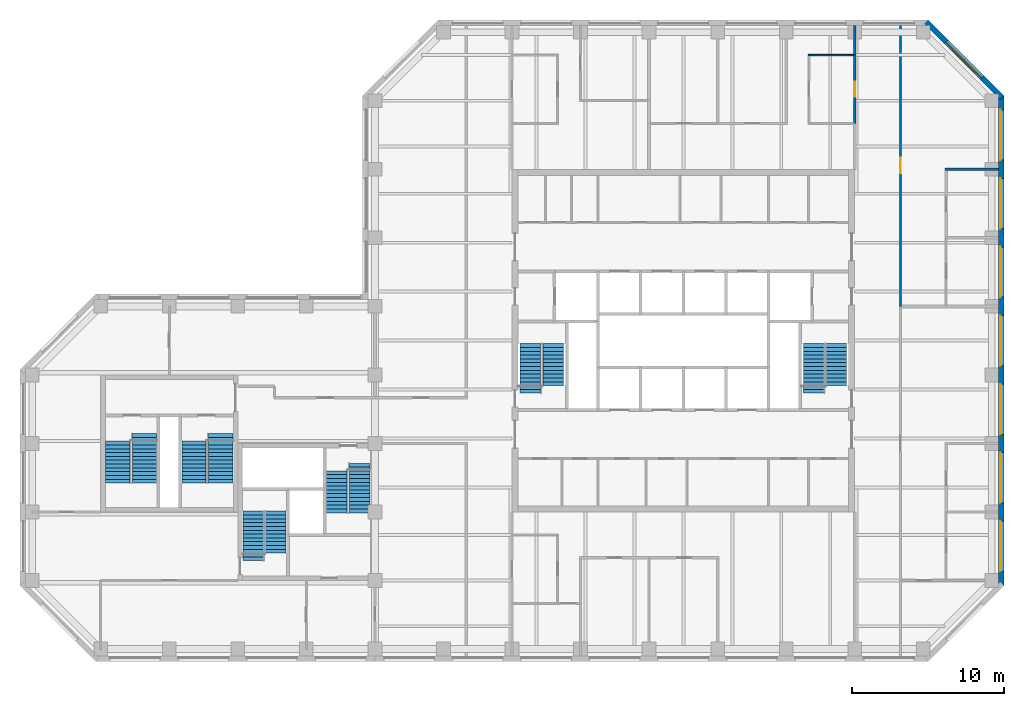
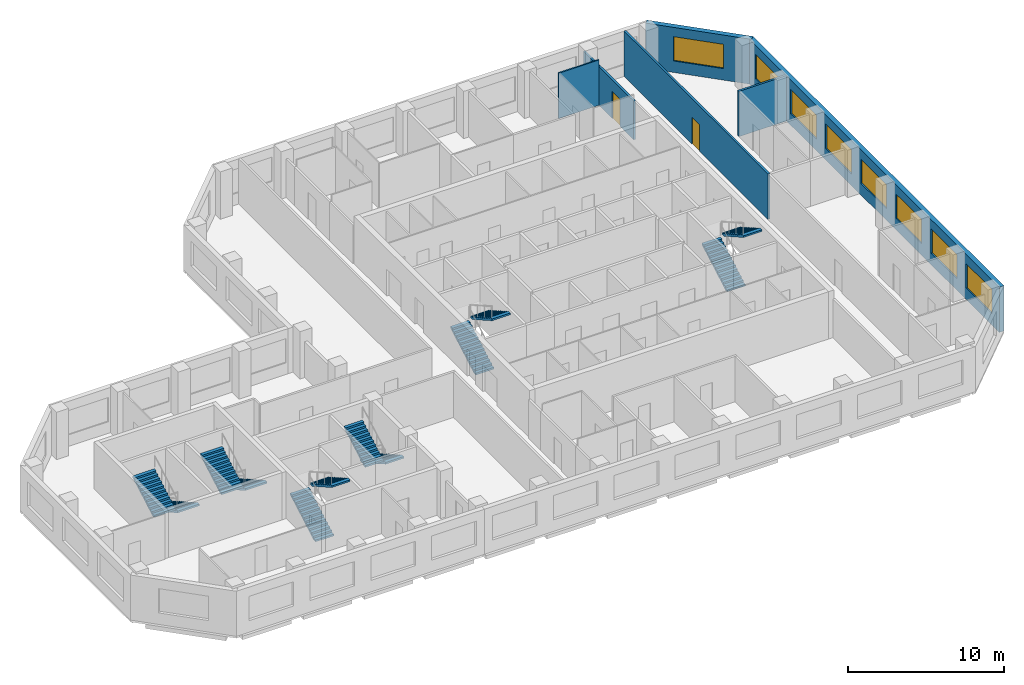
# One storey, part 8 of 9: 12 stair flights, 8 windows, 7 walls, 2 doors, 10 openings, 6 elements without a shape of their own.
"""IFC4 building model written with IfcOpenShell, lengths in metres."""

from ifc_helpers import new_model, si_unit, direction, frame, frame_2d, origin, place, context, subcontext, project, spatial, polyline, rectangle, outline, extrude, material, layer, layer_set, constituent, constituent_set, type_object, element, fill, aggregate, save


model = new_model("IFC4")

# Units and contexts
model_context = context("Model", 3, precision=1e-05, world=origin(), true_north=direction((0.0, 1.0)))
body_context = subcontext(model_context, "Body", "Model", "MODEL_VIEW")
ifc_project = project(units=[si_unit("LENGTHUNIT", "METRE"), si_unit("AREAUNIT", "SQUARE_METRE"), si_unit("VOLUMEUNIT", "CUBIC_METRE"), si_unit("PLANEANGLEUNIT", "RADIAN"), si_unit("MASSUNIT", "GRAM", prefix="KILO")], contexts=[model_context])

# Site, building, storey
site_placement = place(None, origin())
site = spatial("IfcSite", under=ifc_project, at=site_placement, CompositionType="ELEMENT")
building_placement = place(site_placement, origin())
building = spatial("IfcBuilding", under=site, at=building_placement, Name="Quoin Convention Tower", CompositionType="ELEMENT")
storey_placement = place(building_placement, frame((0.0, 0.0, 248.89990234375)))
storey = spatial("IfcBuildingStorey", under=building, at=storey_placement, Name="L65", CompositionType="ELEMENT", Elevation=248.89990234375)

# Wall
ifc_material_1 = material(Name="Plasterboard")
ifc_layer_1 = layer(ifc_material_1, 0.012451171875, Name="Finish")
ifc_material_2 = material(Name="Steel stud framing", Category="steel")
ifc_layer_2 = layer(ifc_material_2, 0.125, Name="Structure")
ifc_layer_3 = layer(ifc_material_1, 0.012451171875, Name="Finish")
ifc_layer_set_1 = layer_set([ifc_layer_1, ifc_layer_2, ifc_layer_3], Name="Steel stud framing")
wall_type_1 = type_object("IfcWallType", Name="Acoustic partition 150", PredefinedType="PARTITIONING", material=ifc_layer_set_1)
wall_1_placement = place(storey_placement, frame((73.425048828125, 72.0, 0.0), z_axis=(0.0, 0.0, 1.0), x_axis=(1.0, 0.0, 0.0)))
element("IfcWall", 1, at=wall_1_placement, inside=storey, type_object=wall_type_1, Name="pw-L65-024", PredefinedType="PARTITIONING", context=body_context, shape_type="SweptSolid", body=[
    extrude(rectangle(XDim=3.52490234375, YDim=0.14990234375, at=frame_2d((1.762451171875, 0.0))), origin(), (0.0, 0.0, 1.0), 3.550048828125),
])

# Wall, openings, windows
ifc_material_3 = material(Name="Brick masonry", Category="masonry")
ifc_layer_4 = layer(ifc_material_3, 0.35009765625)
ifc_layer_set_2 = layer_set([ifc_layer_4], Name="Brick masonry")
wall_type_2 = type_object("IfcWallType", Name="Brick facade wall", PredefinedType="STANDARD", material=ifc_layer_set_2)
wall_2_placement = place(storey_placement, frame((77.125, 44.668701171875, 0.0), z_axis=(0.0, 0.0, 1.0), x_axis=(0.0, 1.0, 0.0)))
wall_2 = element("IfcWall", 2, at=wall_2_placement, inside=storey, type_object=wall_type_2, Name="fw-L65-76500_45000", PredefinedType="STANDARD", context=body_context, shape_type="SweptSolid", body=[
    extrude(rectangle(XDim=32.16259765625, YDim=0.35009765625, at=frame_2d((16.081298828125, 0.0))), origin(), (0.0, 0.0, 1.0), 3.525146484375),
])
opening_1_placement = place(wall_2_placement, frame((0.931396484375, 0.0, 0.89990234375)))
opening_1 = element("IfcOpeningElement", 3, at=opening_1_placement, cuts=wall_2, Name="Opening W-02", PredefinedType="OPENING", context=body_context, shape_type="SweptSolid", body=[
    extrude(rectangle(XDim=3.300048828125, YDim=1.89990234375, at=frame_2d((1.64990234375, 0.949951171875))), frame((0.0, 0.18505859375, 0.0), z_axis=(0.0, -1.0, 0.0), x_axis=(1.0, 0.0, 0.0)), (0.0, 0.0, 1.0), 0.3701171875),
])
opening_2_placement = place(wall_2_placement, frame((5.431396484375, 0.0, 0.89990234375)))
opening_2 = element("IfcOpeningElement", 4, at=opening_2_placement, cuts=wall_2, Name="Opening W-02", PredefinedType="OPENING", context=body_context, shape_type="SweptSolid", body=[
    extrude(rectangle(XDim=3.300048828125, YDim=1.89990234375, at=frame_2d((1.64990234375, 0.949951171875))), frame((0.0, 0.18505859375, 0.0), z_axis=(0.0, -1.0, 0.0), x_axis=(1.0, 0.0, 0.0)), (0.0, 0.0, 1.0), 0.3701171875),
])
opening_3_placement = place(wall_2_placement, frame((9.931396484375, 0.0, 0.89990234375)))
opening_3 = element("IfcOpeningElement", 5, at=opening_3_placement, cuts=wall_2, Name="Opening W-02", PredefinedType="OPENING", context=body_context, shape_type="SweptSolid", body=[
    extrude(rectangle(XDim=3.300048828125, YDim=1.89990234375, at=frame_2d((1.64990234375, 0.949951171875))), frame((0.0, 0.18505859375, 0.0), z_axis=(0.0, -1.0, 0.0), x_axis=(1.0, 0.0, 0.0)), (0.0, 0.0, 1.0), 0.3701171875),
])
opening_4_placement = place(wall_2_placement, frame((14.431396484375, 0.0, 0.89990234375)))
opening_4 = element("IfcOpeningElement", 6, at=opening_4_placement, cuts=wall_2, Name="Opening W-02", PredefinedType="OPENING", context=body_context, shape_type="SweptSolid", body=[
    extrude(rectangle(XDim=3.300048828125, YDim=1.89990234375, at=frame_2d((1.64990234375, 0.949951171875))), frame((0.0, 0.18505859375, 0.0), z_axis=(0.0, -1.0, 0.0), x_axis=(1.0, 0.0, 0.0)), (0.0, 0.0, 1.0), 0.3701171875),
])
opening_5_placement = place(wall_2_placement, frame((18.931396484375, 0.0, 0.89990234375)))
opening_5 = element("IfcOpeningElement", 7, at=opening_5_placement, cuts=wall_2, Name="Opening W-02", PredefinedType="OPENING", context=body_context, shape_type="SweptSolid", body=[
    extrude(rectangle(XDim=3.300048828125, YDim=1.89990234375, at=frame_2d((1.64990234375, 0.949951171875))), frame((0.0, 0.18505859375, 0.0), z_axis=(0.0, -1.0, 0.0), x_axis=(1.0, 0.0, 0.0)), (0.0, 0.0, 1.0), 0.3701171875),
])
opening_6_placement = place(wall_2_placement, frame((23.431396484375, 0.0, 0.89990234375)))
opening_6 = element("IfcOpeningElement", 8, at=opening_6_placement, cuts=wall_2, Name="Opening W-02", PredefinedType="OPENING", context=body_context, shape_type="SweptSolid", body=[
    extrude(rectangle(XDim=3.300048828125, YDim=1.89990234375, at=frame_2d((1.64990234375, 0.949951171875))), frame((0.0, 0.18505859375, 0.0), z_axis=(0.0, -1.0, 0.0), x_axis=(1.0, 0.0, 0.0)), (0.0, 0.0, 1.0), 0.3701171875),
])
opening_7_placement = place(wall_2_placement, frame((27.931396484375, 0.0, 0.89990234375)))
opening_7 = element("IfcOpeningElement", 9, at=opening_7_placement, cuts=wall_2, Name="Opening W-02", PredefinedType="OPENING", context=body_context, shape_type="SweptSolid", body=[
    extrude(rectangle(XDim=3.300048828125, YDim=1.89990234375, at=frame_2d((1.64990234375, 0.949951171875))), frame((0.0, 0.18505859375, 0.0), z_axis=(0.0, -1.0, 0.0), x_axis=(1.0, 0.0, 0.0)), (0.0, 0.0, 1.0), 0.3701171875),
])
ifc_material_4 = material(Name="Aluminium", Category="aluminium")
ifc_constituent_1 = constituent(ifc_material_4, Name="Frame")
ifc_material_5 = material(Name="Insulated glass", Category="glass")
ifc_constituent_2 = constituent(ifc_material_5, Name="Glazing")
ifc_constituent_set = constituent_set(constituents=[ifc_constituent_1, ifc_constituent_2], Name="Aluminium")
window_type = type_object("IfcWindowType", Name="Office window", PartitioningType="DOUBLE_PANEL_VERTICAL", PredefinedType="WINDOW", material=ifc_constituent_set)
window_1_placement = place(opening_1_placement, origin())
window_1 = element("IfcWindow", 10, at=window_1_placement, inside=storey, type_object=window_type, Name="win-L65-77125_47250", OverallHeight=1.89990234375, OverallWidth=3.300048828125, PartitioningType="SINGLE_PANEL", PredefinedType="WINDOW", context=body_context, shape_type="SweptSolid", body=[
    extrude(rectangle(XDim=3.300048828125, YDim=1.89990234375, at=frame_2d((1.64990234375, 0.949951171875))), frame((0.0, 0.0849609375, 0.0), z_axis=(0.0, -1.0, 0.0), x_axis=(1.0, 0.0, 0.0)), (0.0, 0.0, 1.0), 0.06005859375),
])
fill(opening_1, window_1)
window_2_placement = place(opening_2_placement, origin())
window_2 = element("IfcWindow", 11, at=window_2_placement, inside=storey, type_object=window_type, Name="win-L65-77125_51750", OverallHeight=1.89990234375, OverallWidth=3.300048828125, PartitioningType="SINGLE_PANEL", PredefinedType="WINDOW", context=body_context, shape_type="SweptSolid", body=[
    extrude(rectangle(XDim=3.300048828125, YDim=1.89990234375, at=frame_2d((1.64990234375, 0.949951171875))), frame((0.0, 0.0849609375, 0.0), z_axis=(0.0, -1.0, 0.0), x_axis=(1.0, 0.0, 0.0)), (0.0, 0.0, 1.0), 0.06005859375),
])
fill(opening_2, window_2)
window_3_placement = place(opening_3_placement, origin())
window_3 = element("IfcWindow", 12, at=window_3_placement, inside=storey, type_object=window_type, Name="win-L65-77125_56250", OverallHeight=1.89990234375, OverallWidth=3.300048828125, PartitioningType="SINGLE_PANEL", PredefinedType="WINDOW", context=body_context, shape_type="SweptSolid", body=[
    extrude(rectangle(XDim=3.300048828125, YDim=1.89990234375, at=frame_2d((1.64990234375, 0.949951171875))), frame((0.0, 0.0849609375, 0.0), z_axis=(0.0, -1.0, 0.0), x_axis=(1.0, 0.0, 0.0)), (0.0, 0.0, 1.0), 0.06005859375),
])
fill(opening_3, window_3)
window_4_placement = place(opening_4_placement, origin())
window_4 = element("IfcWindow", 13, at=window_4_placement, inside=storey, type_object=window_type, Name="win-L65-77125_60750", OverallHeight=1.89990234375, OverallWidth=3.300048828125, PartitioningType="SINGLE_PANEL", PredefinedType="WINDOW", context=body_context, shape_type="SweptSolid", body=[
    extrude(rectangle(XDim=3.300048828125, YDim=1.89990234375, at=frame_2d((1.64990234375, 0.949951171875))), frame((0.0, 0.0849609375, 0.0), z_axis=(0.0, -1.0, 0.0), x_axis=(1.0, 0.0, 0.0)), (0.0, 0.0, 1.0), 0.06005859375),
])
fill(opening_4, window_4)
window_5_placement = place(opening_5_placement, origin())
window_5 = element("IfcWindow", 14, at=window_5_placement, inside=storey, type_object=window_type, Name="win-L65-77125_65250", OverallHeight=1.89990234375, OverallWidth=3.300048828125, PartitioningType="SINGLE_PANEL", PredefinedType="WINDOW", context=body_context, shape_type="SweptSolid", body=[
    extrude(rectangle(XDim=3.300048828125, YDim=1.89990234375, at=frame_2d((1.64990234375, 0.949951171875))), frame((0.0, 0.0849609375, 0.0), z_axis=(0.0, -1.0, 0.0), x_axis=(1.0, 0.0, 0.0)), (0.0, 0.0, 1.0), 0.06005859375),
])
fill(opening_5, window_5)
window_6_placement = place(opening_6_placement, origin())
window_6 = element("IfcWindow", 15, at=window_6_placement, inside=storey, type_object=window_type, Name="win-L65-77125_69750", OverallHeight=1.89990234375, OverallWidth=3.300048828125, PartitioningType="SINGLE_PANEL", PredefinedType="WINDOW", context=body_context, shape_type="SweptSolid", body=[
    extrude(rectangle(XDim=3.300048828125, YDim=1.89990234375, at=frame_2d((1.64990234375, 0.949951171875))), frame((0.0, 0.0849609375, 0.0), z_axis=(0.0, -1.0, 0.0), x_axis=(1.0, 0.0, 0.0)), (0.0, 0.0, 1.0), 0.06005859375),
])
fill(opening_6, window_6)
window_7_placement = place(opening_7_placement, origin())
window_7 = element("IfcWindow", 16, at=window_7_placement, inside=storey, type_object=window_type, Name="win-L65-77125_74250", OverallHeight=1.89990234375, OverallWidth=3.300048828125, PartitioningType="SINGLE_PANEL", PredefinedType="WINDOW", context=body_context, shape_type="SweptSolid", body=[
    extrude(rectangle(XDim=3.300048828125, YDim=1.89990234375, at=frame_2d((1.64990234375, 0.949951171875))), frame((0.0, 0.0849609375, 0.0), z_axis=(0.0, -1.0, 0.0), x_axis=(1.0, 0.0, 0.0)), (0.0, 0.0, 1.0), 0.06005859375),
])
fill(opening_7, window_7)

# Wall, opening, window
wall_3_placement = place(storey_placement, frame((77.17626953125, 76.70751953125, 0.0), z_axis=(0.0, 0.0, 1.0), x_axis=(-0.707106781187, 0.707106781187, 0.0)))
wall_3 = element("IfcWall", 17, at=wall_3_placement, inside=storey, type_object=wall_type_2, Name="fw-L65-76500_76500", PredefinedType="STANDARD", context=body_context, shape_type="SweptSolid", body=[
    extrude(rectangle(XDim=7.02685546875, YDim=0.35009765625, at=frame_2d((3.513427734375, 0.0))), origin(), (0.0, 0.0, 1.0), 3.525146484375),
])
opening_8_placement = place(wall_3_placement, frame((1.86328125, 0.0, 0.89990234375)))
opening_8 = element("IfcOpeningElement", 18, at=opening_8_placement, cuts=wall_3, Name="Opening W-02", PredefinedType="OPENING", context=body_context, shape_type="SweptSolid", body=[
    extrude(rectangle(XDim=3.300048828125, YDim=1.89990234375, at=frame_2d((1.64990234375, 0.949951171875))), frame((0.0, 0.18505859375, 0.0), z_axis=(0.0, -1.0, 0.0), x_axis=(1.0, 0.0, 0.0)), (0.0, 0.0, 1.0), 0.3701171875),
])
window_8_placement = place(opening_8_placement, origin())
window_8 = element("IfcWindow", 19, at=window_8_placement, inside=storey, type_object=window_type, Name="win-L65-74692_79192", OverallHeight=1.89990234375, OverallWidth=3.300048828125, PartitioningType="SINGLE_PANEL", PredefinedType="WINDOW", context=body_context, shape_type="SweptSolid", body=[
    extrude(rectangle(XDim=3.300048828125, YDim=1.89990234375, at=frame_2d((1.64990234375, 0.949951171875))), frame((0.0, 0.0849609375, 0.0), z_axis=(0.0, -1.0, 0.0), x_axis=(1.0, 0.0, 0.0)), (0.0, 0.0, 1.0), 0.06005859375),
])
fill(opening_8, window_8)

# Wall, opening, door
ifc_layer_5 = layer(ifc_material_1, 0.012451171875, Name="Finish")
ifc_layer_6 = layer(ifc_material_2, 0.125, Name="Structure")
ifc_layer_7 = layer(ifc_material_1, 0.012451171875, Name="Finish")
ifc_layer_set_3 = layer_set([ifc_layer_5, ifc_layer_6, ifc_layer_7], Name="Steel stud framing")
wall_type_3 = type_object("IfcWallType", Name="Corridor wall 150", PredefinedType="PARTITIONING", material=ifc_layer_set_3)
wall_4_placement = place(storey_placement, frame((70.5, 63.0, 0.0), z_axis=(0.0, 0.0, 1.0), x_axis=(0.0, 1.0, 0.0)))
wall_4 = element("IfcWall", 20, at=wall_4_placement, inside=storey, type_object=wall_type_3, Name="pw-L65-062", PredefinedType="PARTITIONING", context=body_context, shape_type="SweptSolid", body=[
    extrude(rectangle(XDim=18.449951171875, YDim=0.14990234375, at=frame_2d((9.22509765625, 0.0))), origin(), (0.0, 0.0, 1.0), 3.550048828125),
])
opening_9_placement = place(wall_4_placement, frame((8.75, 0.0, 0.0)))
opening_9 = element("IfcOpeningElement", 21, at=opening_9_placement, cuts=wall_4, Name="Opening DOH12-15", PredefinedType="OPENING", context=body_context, shape_type="SweptSolid", body=[
    extrude(rectangle(XDim=1.0, YDim=2.10009765625, at=frame_2d((0.5, 1.050048828125))), frame((0.0, 0.0849609375, 0.0), z_axis=(0.0, -1.0, 0.0), x_axis=(1.0, 0.0, 0.0)), (0.0, 0.0, 1.0), 0.169921875),
])
ifc_material_6 = material(Name="Steel door leaf", Category="steel")
door_type = type_object("IfcDoorType", Name="Tenancy entrance door 1000 x 2100", OperationType="DOUBLE_DOOR_SINGLE_SWING", PredefinedType="DOOR", material=ifc_material_6)
door_1_placement = place(opening_9_placement, frame((1.0, 0.0, 0.0), z_axis=(0.0, 0.0, 1.0), x_axis=(-1.0, 0.0, 0.0)))
door_1 = element("IfcDoor", 22, at=door_1_placement, inside=storey, type_object=door_type, Name="dr-L65-27", OperationType="DOUBLE_DOOR_SINGLE_SWING", OverallHeight=2.10009765625, OverallWidth=1.0, PredefinedType="DOOR", context=body_context, shape_type="SweptSolid", body=[
    extrude(rectangle(XDim=1.0, YDim=2.10009765625, at=frame_2d((0.5, 1.050048828125))), frame((0.0, 0.02490234375, 0.0), z_axis=(0.0, -1.0, 0.0), x_axis=(1.0, 0.0, 0.0)), (0.0, 0.0, 1.0), 0.050048828125),
])
fill(opening_9, door_1)

ifc_layer_8 = layer(ifc_material_1, 0.012451171875, Name="Finish")
ifc_layer_9 = layer(ifc_material_2, 0.125, Name="Structure")
ifc_layer_10 = layer(ifc_material_1, 0.012451171875, Name="Finish")
ifc_layer_set_4 = layer_set([ifc_layer_8, ifc_layer_9, ifc_layer_10], Name="Steel stud framing")
wall_type_4 = type_object("IfcWallType", Name="Corridor wall 150 under beam 528", PredefinedType="PARTITIONING", material=ifc_layer_set_4)
wall_5_placement = place(storey_placement, frame((67.5, 75.0, 0.0), z_axis=(0.0, 0.0, 1.0), x_axis=(0.0, 1.0, 0.0)))
wall_5 = element("IfcWall", 23, at=wall_5_placement, inside=storey, type_object=wall_type_4, Name="pw-L65-070", PredefinedType="PARTITIONING", context=body_context, shape_type="SweptSolid", body=[
    extrude(rectangle(XDim=4.5, YDim=0.14990234375, at=frame_2d((2.25, 0.0))), origin(), (0.0, 0.0, 1.0), 3.022216796875),
])
opening_10_placement = place(wall_5_placement, frame((1.75, 0.0, 0.0)))
opening_10 = element("IfcOpeningElement", 24, at=opening_10_placement, cuts=wall_5, Name="Opening DOH12-19", PredefinedType="OPENING", context=body_context, shape_type="SweptSolid", body=[
    extrude(rectangle(XDim=1.0, YDim=2.10009765625, at=frame_2d((0.5, 1.050048828125))), frame((0.0, 0.0849609375, 0.0), z_axis=(0.0, -1.0, 0.0), x_axis=(1.0, 0.0, 0.0)), (0.0, 0.0, 1.0), 0.169921875),
])
door_2_placement = place(opening_10_placement, frame((1.0, 0.0, 0.0), z_axis=(0.0, 0.0, 1.0), x_axis=(-1.0, 0.0, 0.0)))
door_2 = element("IfcDoor", 25, at=door_2_placement, inside=storey, type_object=door_type, Name="dr-L65-19", OperationType="DOUBLE_DOOR_SINGLE_SWING", OverallHeight=2.10009765625, OverallWidth=1.0, PredefinedType="DOOR", context=body_context, shape_type="SweptSolid", body=[
    extrude(rectangle(XDim=1.0, YDim=2.10009765625, at=frame_2d((0.5, 1.050048828125))), frame((0.0, 0.02490234375, 0.0), z_axis=(0.0, -1.0, 0.0), x_axis=(1.0, 0.0, 0.0)), (0.0, 0.0, 1.0), 0.050048828125),
])
fill(opening_10, door_2)

# Walls
wall_6_placement = place(storey_placement, frame((67.5, 79.5, 0.0), z_axis=(0.0, 0.0, 1.0), x_axis=(0.0, 1.0, 0.0)))
element("IfcWall", 26, at=wall_6_placement, inside=storey, type_object=wall_type_4, Name="pw-L65-078", PredefinedType="PARTITIONING", context=body_context, shape_type="SweptSolid", body=[
    extrude(rectangle(XDim=1.949951171875, YDim=0.14990234375, at=frame_2d((0.97509765625, 0.0))), origin(), (0.0, 0.0, 1.0), 3.022216796875),
])
ifc_layer_11 = layer(ifc_material_1, 0.012451171875, Name="Finish")
ifc_layer_12 = layer(ifc_material_2, 0.074951171875, Name="Structure")
ifc_layer_13 = layer(ifc_material_1, 0.012451171875, Name="Finish")
ifc_layer_set_5 = layer_set([ifc_layer_11, ifc_layer_12, ifc_layer_13], Name="Steel stud framing")
wall_type_5 = type_object("IfcWallType", Name="Stud partition 100", PredefinedType="PARTITIONING", material=ifc_layer_set_5)
wall_7_placement = place(storey_placement, frame((64.449951171875, 79.5, 0.0), z_axis=(0.0, 0.0, 1.0), x_axis=(1.0, 0.0, 0.0)))
element("IfcWall", 27, at=wall_7_placement, inside=storey, type_object=wall_type_5, Name="pw-L65-031", PredefinedType="PARTITIONING", context=body_context, shape_type="SweptSolid", body=[
    extrude(rectangle(XDim=2.97509765625, YDim=0.10009765625, at=frame_2d((1.487548828125, 0.0))), origin(), (0.0, 0.0, 1.0), 3.550048828125),
])

# Stair, stair flights
ifc_material_7 = material(Name="Concrete C40", Category="concrete")
stair_type_1 = type_object("IfcStairType", Name="Exit stair two-flight 1350", PredefinedType="HALF_TURN_STAIR", material=ifc_material_7)
stair_1_placement = place(storey_placement, origin())
stair_1 = element("IfcStair", 28, at=stair_1_placement, inside=storey, type_object=stair_type_1, Name="SD1 L65", PredefinedType="HALF_TURN_STAIR")
stair_flight_type_1 = type_object("IfcStairFlightType", Name="Stair flight 1350", PredefinedType="STRAIGHT", material=ifc_material_7)
stair_flight_1_placement = place(storey_placement, frame((46.199951171875, 57.300048828125, 0.0), z_axis=(0.0, 0.0, 1.0), x_axis=(0.0, 1.0, 0.0)))
stair_flight_1 = element("IfcStairFlight", 29, at=stair_flight_1_placement, type_object=stair_flight_type_1, Name="ST1 flight 1", NumberOfRisers=14, NumberOfTreads=13, PredefinedType="STRAIGHT", RiserHeight=0.142307692, TreadLength=0.25, context=body_context, shape_type="SweptSolid", body=[
    extrude(outline(polyline([(0.0, 0.0), (0.0, 0.142333984375), (0.25, 0.142333984375), (0.25, 0.28466796875), (0.5, 0.28466796875), (0.5, 0.427001953125), (0.75, 0.427001953125), (0.75, 0.5693359375), (1.0, 0.5693359375), (1.0, 0.71142578125), (1.25, 0.71142578125), (1.25, 0.853759765625), (1.5, 0.853759765625), (1.5, 0.99609375), (1.75, 0.99609375), (1.75, 1.138427734375), (2.0, 1.138427734375), (2.0, 1.28076171875), (2.25, 1.28076171875), (2.25, 1.423095703125), (2.5, 1.423095703125), (2.5, 1.5654296875), (2.75, 1.5654296875), (2.75, 1.707763671875), (3.0, 1.707763671875), (3.0, 1.85009765625), (3.25, 1.85009765625), (3.25, 1.9921875), (3.25, 1.711669921875), (0.242919921875, 0.0), (0.0, 0.0)])), frame((0.0, 0.675048828125, 0.0), z_axis=(0.0, -1.0, 0.0), x_axis=(1.0, 0.0, 0.0)), (0.0, 0.0, 1.0), 1.35009765625),
])
stair_flight_2_placement = place(storey_placement, frame((47.699951171875, 60.550048828125, 1.992431640625), z_axis=(0.0, 0.0, 1.0), x_axis=(0.0, -1.0, 0.0)))
stair_flight_2 = element("IfcStairFlight", 30, at=stair_flight_2_placement, type_object=stair_flight_type_1, Name="ST1 flight 2", NumberOfRisers=12, NumberOfTreads=11, PredefinedType="STRAIGHT", RiserHeight=0.142307692, TreadLength=0.25, context=body_context, shape_type="SweptSolid", body=[
    extrude(outline(polyline([(0.0, 0.0), (0.0, 0.142333984375), (0.25, 0.142333984375), (0.25, 0.28466796875), (0.5, 0.28466796875), (0.5, 0.427001953125), (0.75, 0.427001953125), (0.75, 0.5693359375), (1.0, 0.5693359375), (1.0, 0.71142578125), (1.25, 0.71142578125), (1.25, 0.853759765625), (1.5, 0.853759765625), (1.5, 0.99609375), (1.75, 0.99609375), (1.75, 1.138427734375), (2.0, 1.138427734375), (2.0, 1.28076171875), (2.25, 1.28076171875), (2.25, 1.423095703125), (2.5, 1.423095703125), (2.5, 1.5654296875), (2.75, 1.5654296875), (2.75, 1.707763671875), (2.75, 1.42724609375), (0.242919921875, 0.0), (0.0, 0.0)])), frame((0.0, 0.675048828125, 0.0), z_axis=(0.0, -1.0, 0.0), x_axis=(1.0, 0.0, 0.0)), (0.0, 0.0, 1.0), 1.35009765625),
])
aggregate(stair_1, [stair_flight_1, stair_flight_2])

stair_2_placement = place(storey_placement, origin())
stair_2 = element("IfcStair", 31, at=stair_2_placement, inside=storey, type_object=stair_type_1, Name="SD2 L65", PredefinedType="HALF_TURN_STAIR")
stair_flight_3_placement = place(storey_placement, frame((64.800048828125, 57.300048828125, 0.0), z_axis=(0.0, 0.0, 1.0), x_axis=(0.0, 1.0, 0.0)))
stair_flight_3 = element("IfcStairFlight", 32, at=stair_flight_3_placement, type_object=stair_flight_type_1, Name="ST2 flight 1", NumberOfRisers=14, NumberOfTreads=13, PredefinedType="STRAIGHT", RiserHeight=0.142307692, TreadLength=0.25, context=body_context, shape_type="SweptSolid", body=[
    extrude(outline(polyline([(0.0, 0.0), (0.0, 0.142333984375), (0.25, 0.142333984375), (0.25, 0.28466796875), (0.5, 0.28466796875), (0.5, 0.427001953125), (0.75, 0.427001953125), (0.75, 0.5693359375), (1.0, 0.5693359375), (1.0, 0.71142578125), (1.25, 0.71142578125), (1.25, 0.853759765625), (1.5, 0.853759765625), (1.5, 0.99609375), (1.75, 0.99609375), (1.75, 1.138427734375), (2.0, 1.138427734375), (2.0, 1.28076171875), (2.25, 1.28076171875), (2.25, 1.423095703125), (2.5, 1.423095703125), (2.5, 1.5654296875), (2.75, 1.5654296875), (2.75, 1.707763671875), (3.0, 1.707763671875), (3.0, 1.85009765625), (3.25, 1.85009765625), (3.25, 1.9921875), (3.25, 1.711669921875), (0.242919921875, 0.0), (0.0, 0.0)])), frame((0.0, 0.675048828125, 0.0), z_axis=(0.0, -1.0, 0.0), x_axis=(1.0, 0.0, 0.0)), (0.0, 0.0, 1.0), 1.35009765625),
])
stair_flight_4_placement = place(storey_placement, frame((66.300048828125, 60.550048828125, 1.992431640625), z_axis=(0.0, 0.0, 1.0), x_axis=(0.0, -1.0, 0.0)))
stair_flight_4 = element("IfcStairFlight", 33, at=stair_flight_4_placement, type_object=stair_flight_type_1, Name="ST2 flight 2", NumberOfRisers=12, NumberOfTreads=11, PredefinedType="STRAIGHT", RiserHeight=0.142307692, TreadLength=0.25, context=body_context, shape_type="SweptSolid", body=[
    extrude(outline(polyline([(0.0, 0.0), (0.0, 0.142333984375), (0.25, 0.142333984375), (0.25, 0.28466796875), (0.5, 0.28466796875), (0.5, 0.427001953125), (0.75, 0.427001953125), (0.75, 0.5693359375), (1.0, 0.5693359375), (1.0, 0.71142578125), (1.25, 0.71142578125), (1.25, 0.853759765625), (1.5, 0.853759765625), (1.5, 0.99609375), (1.75, 0.99609375), (1.75, 1.138427734375), (2.0, 1.138427734375), (2.0, 1.28076171875), (2.25, 1.28076171875), (2.25, 1.423095703125), (2.5, 1.423095703125), (2.5, 1.5654296875), (2.75, 1.5654296875), (2.75, 1.707763671875), (2.75, 1.42724609375), (0.242919921875, 0.0), (0.0, 0.0)])), frame((0.0, 0.675048828125, 0.0), z_axis=(0.0, -1.0, 0.0), x_axis=(1.0, 0.0, 0.0)), (0.0, 0.0, 1.0), 1.35009765625),
])
aggregate(stair_2, [stair_flight_3, stair_flight_4])

stair_3_placement = place(storey_placement, origin())
stair_3 = element("IfcStair", 34, at=stair_3_placement, inside=storey, type_object=stair_type_1, Name="SD3 L65", PredefinedType="HALF_TURN_STAIR")
stair_flight_5_placement = place(storey_placement, frame((28.0, 46.300048828125, 0.0), z_axis=(0.0, 0.0, 1.0), x_axis=(0.0, 1.0, 0.0)))
stair_flight_5 = element("IfcStairFlight", 35, at=stair_flight_5_placement, type_object=stair_flight_type_1, Name="ST3 flight 1", NumberOfRisers=14, NumberOfTreads=13, PredefinedType="STRAIGHT", RiserHeight=0.142307692, TreadLength=0.25, context=body_context, shape_type="SweptSolid", body=[
    extrude(outline(polyline([(0.0, 0.0), (0.0, 0.142333984375), (0.25, 0.142333984375), (0.25, 0.28466796875), (0.5, 0.28466796875), (0.5, 0.427001953125), (0.75, 0.427001953125), (0.75, 0.5693359375), (1.0, 0.5693359375), (1.0, 0.71142578125), (1.25, 0.71142578125), (1.25, 0.853759765625), (1.5, 0.853759765625), (1.5, 0.99609375), (1.75, 0.99609375), (1.75, 1.138427734375), (2.0, 1.138427734375), (2.0, 1.28076171875), (2.25, 1.28076171875), (2.25, 1.423095703125), (2.5, 1.423095703125), (2.5, 1.5654296875), (2.75, 1.5654296875), (2.75, 1.707763671875), (3.0, 1.707763671875), (3.0, 1.85009765625), (3.25, 1.85009765625), (3.25, 1.9921875), (3.25, 1.711669921875), (0.242919921875, 0.0), (0.0, 0.0)])), frame((0.0, 0.675048828125, 0.0), z_axis=(0.0, -1.0, 0.0), x_axis=(1.0, 0.0, 0.0)), (0.0, 0.0, 1.0), 1.35009765625),
])
stair_flight_6_placement = place(storey_placement, frame((29.5, 49.550048828125, 1.992431640625), z_axis=(0.0, 0.0, 1.0), x_axis=(0.0, -1.0, 0.0)))
stair_flight_6 = element("IfcStairFlight", 36, at=stair_flight_6_placement, type_object=stair_flight_type_1, Name="ST3 flight 2", NumberOfRisers=12, NumberOfTreads=11, PredefinedType="STRAIGHT", RiserHeight=0.142307692, TreadLength=0.25, context=body_context, shape_type="SweptSolid", body=[
    extrude(outline(polyline([(0.0, 0.0), (0.0, 0.142333984375), (0.25, 0.142333984375), (0.25, 0.28466796875), (0.5, 0.28466796875), (0.5, 0.427001953125), (0.75, 0.427001953125), (0.75, 0.5693359375), (1.0, 0.5693359375), (1.0, 0.71142578125), (1.25, 0.71142578125), (1.25, 0.853759765625), (1.5, 0.853759765625), (1.5, 0.99609375), (1.75, 0.99609375), (1.75, 1.138427734375), (2.0, 1.138427734375), (2.0, 1.28076171875), (2.25, 1.28076171875), (2.25, 1.423095703125), (2.5, 1.423095703125), (2.5, 1.5654296875), (2.75, 1.5654296875), (2.75, 1.707763671875), (2.75, 1.42724609375), (0.242919921875, 0.0), (0.0, 0.0)])), frame((0.0, 0.675048828125, 0.0), z_axis=(0.0, -1.0, 0.0), x_axis=(1.0, 0.0, 0.0)), (0.0, 0.0, 1.0), 1.35009765625),
])
aggregate(stair_3, [stair_flight_5, stair_flight_6])

stair_4_placement = place(storey_placement, origin())
stair_4 = element("IfcStair", 37, at=stair_4_placement, inside=storey, type_object=stair_type_1, Name="SD4 L65", PredefinedType="HALF_TURN_STAIR")
stair_flight_7_placement = place(storey_placement, frame((35.0, 52.699951171875, 0.0), z_axis=(0.0, 0.0, 1.0), x_axis=(0.0, -1.0, 0.0)))
stair_flight_7 = element("IfcStairFlight", 38, at=stair_flight_7_placement, type_object=stair_flight_type_1, Name="ST4 flight 1", NumberOfRisers=14, NumberOfTreads=13, PredefinedType="STRAIGHT", RiserHeight=0.142307692, TreadLength=0.25, context=body_context, shape_type="SweptSolid", body=[
    extrude(outline(polyline([(0.0, 0.0), (0.0, 0.142333984375), (0.25, 0.142333984375), (0.25, 0.28466796875), (0.5, 0.28466796875), (0.5, 0.427001953125), (0.75, 0.427001953125), (0.75, 0.5693359375), (1.0, 0.5693359375), (1.0, 0.71142578125), (1.25, 0.71142578125), (1.25, 0.853759765625), (1.5, 0.853759765625), (1.5, 0.99609375), (1.75, 0.99609375), (1.75, 1.138427734375), (2.0, 1.138427734375), (2.0, 1.28076171875), (2.25, 1.28076171875), (2.25, 1.423095703125), (2.5, 1.423095703125), (2.5, 1.5654296875), (2.75, 1.5654296875), (2.75, 1.707763671875), (3.0, 1.707763671875), (3.0, 1.85009765625), (3.25, 1.85009765625), (3.25, 1.9921875), (3.25, 1.711669921875), (0.242919921875, 0.0), (0.0, 0.0)])), frame((0.0, 0.675048828125, 0.0), z_axis=(0.0, -1.0, 0.0), x_axis=(1.0, 0.0, 0.0)), (0.0, 0.0, 1.0), 1.35009765625),
])
stair_flight_8_placement = place(storey_placement, frame((33.5, 49.449951171875, 1.992431640625), z_axis=(0.0, 0.0, 1.0), x_axis=(0.0, 1.0, 0.0)))
stair_flight_8 = element("IfcStairFlight", 39, at=stair_flight_8_placement, type_object=stair_flight_type_1, Name="ST4 flight 2", NumberOfRisers=12, NumberOfTreads=11, PredefinedType="STRAIGHT", RiserHeight=0.142307692, TreadLength=0.25, context=body_context, shape_type="SweptSolid", body=[
    extrude(outline(polyline([(0.0, 0.0), (0.0, 0.142333984375), (0.25, 0.142333984375), (0.25, 0.28466796875), (0.5, 0.28466796875), (0.5, 0.427001953125), (0.75, 0.427001953125), (0.75, 0.5693359375), (1.0, 0.5693359375), (1.0, 0.71142578125), (1.25, 0.71142578125), (1.25, 0.853759765625), (1.5, 0.853759765625), (1.5, 0.99609375), (1.75, 0.99609375), (1.75, 1.138427734375), (2.0, 1.138427734375), (2.0, 1.28076171875), (2.25, 1.28076171875), (2.25, 1.423095703125), (2.5, 1.423095703125), (2.5, 1.5654296875), (2.75, 1.5654296875), (2.75, 1.707763671875), (2.75, 1.42724609375), (0.242919921875, 0.0), (0.0, 0.0)])), frame((0.0, 0.675048828125, 0.0), z_axis=(0.0, -1.0, 0.0), x_axis=(1.0, 0.0, 0.0)), (0.0, 0.0, 1.0), 1.35009765625),
])
aggregate(stair_4, [stair_flight_7, stair_flight_8])

stair_type_2 = type_object("IfcStairType", Name="Exit stair two-flight 1600", PredefinedType="HALF_TURN_STAIR", material=ifc_material_7)
stair_5_placement = place(storey_placement, origin())
stair_5 = element("IfcStair", 40, at=stair_5_placement, inside=storey, type_object=stair_type_2, Name="SD11 L65", PredefinedType="HALF_TURN_STAIR")
stair_flight_type_2 = type_object("IfcStairFlightType", Name="Stair flight 1600", PredefinedType="STRAIGHT", material=ifc_material_7)
stair_flight_9_placement = place(storey_placement, frame((20.875, 54.64990234375, 0.0), z_axis=(0.0, 0.0, 1.0), x_axis=(0.0, -1.0, 0.0)))
stair_flight_9 = element("IfcStairFlight", 41, at=stair_flight_9_placement, type_object=stair_flight_type_2, Name="ST11 flight 1", NumberOfRisers=14, NumberOfTreads=13, PredefinedType="STRAIGHT", RiserHeight=0.142307692, TreadLength=0.25, context=body_context, shape_type="SweptSolid", body=[
    extrude(outline(polyline([(0.0, 0.0), (0.0, 0.142333984375), (0.25, 0.142333984375), (0.25, 0.28466796875), (0.5, 0.28466796875), (0.5, 0.427001953125), (0.75, 0.427001953125), (0.75, 0.5693359375), (1.0, 0.5693359375), (1.0, 0.71142578125), (1.25, 0.71142578125), (1.25, 0.853759765625), (1.5, 0.853759765625), (1.5, 0.99609375), (1.75, 0.99609375), (1.75, 1.138427734375), (2.0, 1.138427734375), (2.0, 1.28076171875), (2.25, 1.28076171875), (2.25, 1.423095703125), (2.5, 1.423095703125), (2.5, 1.5654296875), (2.75, 1.5654296875), (2.75, 1.707763671875), (3.0, 1.707763671875), (3.0, 1.85009765625), (3.25, 1.85009765625), (3.25, 1.9921875), (3.25, 1.711669921875), (0.242919921875, 0.0), (0.0, 0.0)])), frame((0.0, 0.800048828125, 0.0), z_axis=(0.0, -1.0, 0.0), x_axis=(1.0, 0.0, 0.0)), (0.0, 0.0, 1.0), 1.60009765625),
])
stair_flight_10_placement = place(storey_placement, frame((19.125, 51.39990234375, 1.992431640625), z_axis=(0.0, 0.0, 1.0), x_axis=(0.0, 1.0, 0.0)))
stair_flight_10 = element("IfcStairFlight", 42, at=stair_flight_10_placement, type_object=stair_flight_type_2, Name="ST11 flight 2", NumberOfRisers=12, NumberOfTreads=11, PredefinedType="STRAIGHT", RiserHeight=0.142307692, TreadLength=0.25, context=body_context, shape_type="SweptSolid", body=[
    extrude(outline(polyline([(0.0, 0.0), (0.0, 0.142333984375), (0.25, 0.142333984375), (0.25, 0.28466796875), (0.5, 0.28466796875), (0.5, 0.427001953125), (0.75, 0.427001953125), (0.75, 0.5693359375), (1.0, 0.5693359375), (1.0, 0.71142578125), (1.25, 0.71142578125), (1.25, 0.853759765625), (1.5, 0.853759765625), (1.5, 0.99609375), (1.75, 0.99609375), (1.75, 1.138427734375), (2.0, 1.138427734375), (2.0, 1.28076171875), (2.25, 1.28076171875), (2.25, 1.423095703125), (2.5, 1.423095703125), (2.5, 1.5654296875), (2.75, 1.5654296875), (2.75, 1.707763671875), (2.75, 1.42724609375), (0.242919921875, 0.0), (0.0, 0.0)])), frame((0.0, 0.800048828125, 0.0), z_axis=(0.0, -1.0, 0.0), x_axis=(1.0, 0.0, 0.0)), (0.0, 0.0, 1.0), 1.60009765625),
])
aggregate(stair_5, [stair_flight_9, stair_flight_10])

stair_6_placement = place(storey_placement, origin())
stair_6 = element("IfcStair", 43, at=stair_6_placement, inside=storey, type_object=stair_type_2, Name="SD12 L65", PredefinedType="HALF_TURN_STAIR")
stair_flight_11_placement = place(storey_placement, frame((25.875, 54.64990234375, 0.0), z_axis=(0.0, 0.0, 1.0), x_axis=(0.0, -1.0, 0.0)))
stair_flight_11 = element("IfcStairFlight", 44, at=stair_flight_11_placement, type_object=stair_flight_type_2, Name="ST12 flight 1", NumberOfRisers=14, NumberOfTreads=13, PredefinedType="STRAIGHT", RiserHeight=0.142307692, TreadLength=0.25, context=body_context, shape_type="SweptSolid", body=[
    extrude(outline(polyline([(0.0, 0.0), (0.0, 0.142333984375), (0.25, 0.142333984375), (0.25, 0.28466796875), (0.5, 0.28466796875), (0.5, 0.427001953125), (0.75, 0.427001953125), (0.75, 0.5693359375), (1.0, 0.5693359375), (1.0, 0.71142578125), (1.25, 0.71142578125), (1.25, 0.853759765625), (1.5, 0.853759765625), (1.5, 0.99609375), (1.75, 0.99609375), (1.75, 1.138427734375), (2.0, 1.138427734375), (2.0, 1.28076171875), (2.25, 1.28076171875), (2.25, 1.423095703125), (2.5, 1.423095703125), (2.5, 1.5654296875), (2.75, 1.5654296875), (2.75, 1.707763671875), (3.0, 1.707763671875), (3.0, 1.85009765625), (3.25, 1.85009765625), (3.25, 1.9921875), (3.25, 1.711669921875), (0.242919921875, 0.0), (0.0, 0.0)])), frame((0.0, 0.800048828125, 0.0), z_axis=(0.0, -1.0, 0.0), x_axis=(1.0, 0.0, 0.0)), (0.0, 0.0, 1.0), 1.60009765625),
])
stair_flight_12_placement = place(storey_placement, frame((24.125, 51.39990234375, 1.992431640625), z_axis=(0.0, 0.0, 1.0), x_axis=(0.0, 1.0, 0.0)))
stair_flight_12 = element("IfcStairFlight", 45, at=stair_flight_12_placement, type_object=stair_flight_type_2, Name="ST12 flight 2", NumberOfRisers=12, NumberOfTreads=11, PredefinedType="STRAIGHT", RiserHeight=0.142307692, TreadLength=0.25, context=body_context, shape_type="SweptSolid", body=[
    extrude(outline(polyline([(0.0, 0.0), (0.0, 0.142333984375), (0.25, 0.142333984375), (0.25, 0.28466796875), (0.5, 0.28466796875), (0.5, 0.427001953125), (0.75, 0.427001953125), (0.75, 0.5693359375), (1.0, 0.5693359375), (1.0, 0.71142578125), (1.25, 0.71142578125), (1.25, 0.853759765625), (1.5, 0.853759765625), (1.5, 0.99609375), (1.75, 0.99609375), (1.75, 1.138427734375), (2.0, 1.138427734375), (2.0, 1.28076171875), (2.25, 1.28076171875), (2.25, 1.423095703125), (2.5, 1.423095703125), (2.5, 1.5654296875), (2.75, 1.5654296875), (2.75, 1.707763671875), (2.75, 1.42724609375), (0.242919921875, 0.0), (0.0, 0.0)])), frame((0.0, 0.800048828125, 0.0), z_axis=(0.0, -1.0, 0.0), x_axis=(1.0, 0.0, 0.0)), (0.0, 0.0, 1.0), 1.60009765625),
])
aggregate(stair_6, [stair_flight_11, stair_flight_12])

save(model, "model.ifc")
